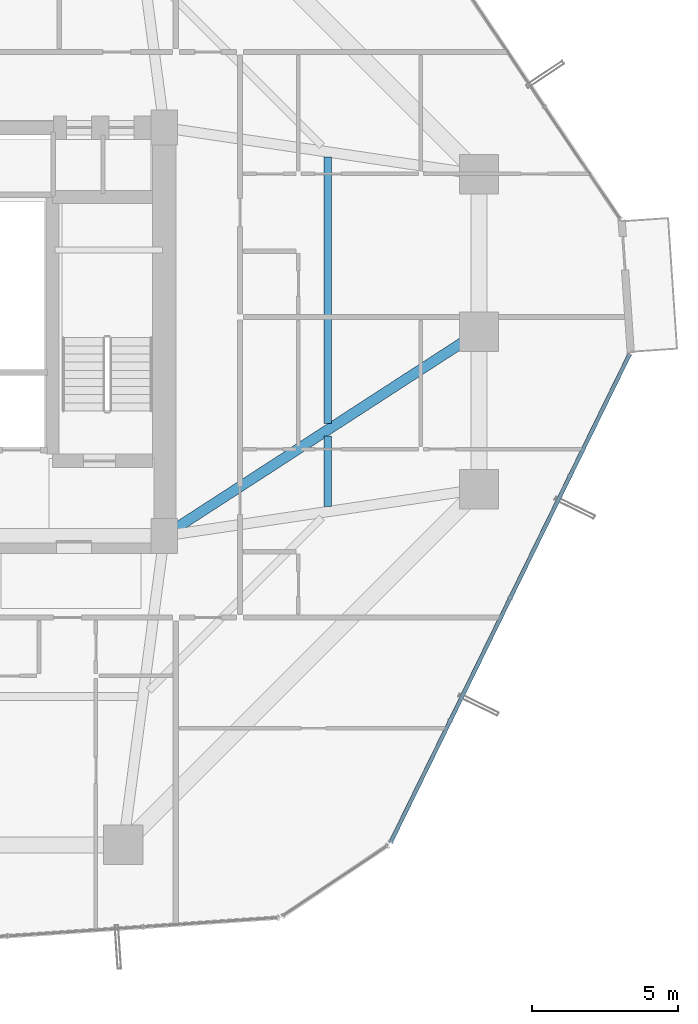
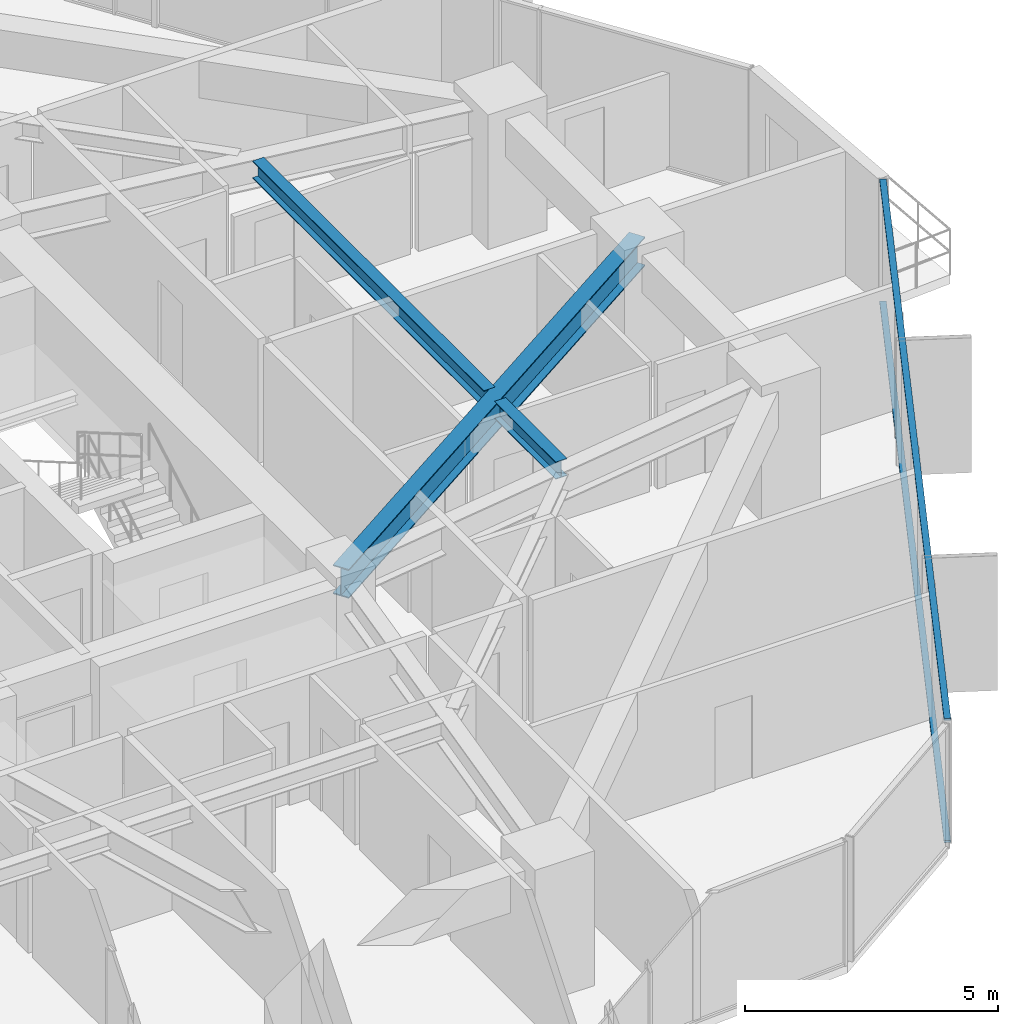
# One storey, part 17 of 37: 3 beams, 2 members, 1 element without a shape of its own.
"""IFC4 building model written with IfcOpenShell, lengths in metres."""

from ifc_helpers import new_model, si_unit, direction, frame, origin, origin_2d, place, context, subcontext, project, spatial, hollow_rectangle, i_section, extrude, source, transform, mapped, material, layer, layer_set, material_profile, profile_set, type_object, element, aggregate, save


model = new_model("IFC4")

# Units and contexts
model_context = context("Model", 3, precision=1e-05, world=origin(), true_north=direction((0.0, 1.0)))
body_context = subcontext(model_context, "Body", "Model", "MODEL_VIEW")
ifc_project = project(units=[si_unit("LENGTHUNIT", "METRE"), si_unit("AREAUNIT", "SQUARE_METRE"), si_unit("VOLUMEUNIT", "CUBIC_METRE"), si_unit("PLANEANGLEUNIT", "RADIAN"), si_unit("MASSUNIT", "GRAM", prefix="KILO")], contexts=[model_context])

# Site, building, storey
site_placement = place(None, origin())
site = spatial("IfcSite", under=ifc_project, at=site_placement, CompositionType="ELEMENT")
building_placement = place(site_placement, origin())
building = spatial("IfcBuilding", under=site, at=building_placement, Name="Veraguas Prism Commons", CompositionType="ELEMENT")
storey_placement = place(building_placement, frame((0.0, 0.0, 37.050048828125)))
storey = spatial("IfcBuildingStorey", under=building, at=storey_placement, Name="L09", CompositionType="ELEMENT", Elevation=37.050048828125)

# Beams
ifc_material_1 = material(Name="Steel ASTM A992 Grade 50", Category="steel")
ifc_material_profile_1 = material_profile(ifc_material_1, i_section(OverallWidth=0.260986328125, OverallDepth=0.419921875, WebThickness=0.01171875, FlangeThickness=0.019287109375, at=origin_2d()), Name="W410X114")
ifc_profile_set_1 = profile_set([ifc_material_profile_1], Name="Steel ASTM A992 Grade 50")
beam_type_1 = type_object("IfcBeamType", Name="Lower Floor Joist W410x114", PredefinedType="JOIST", material=ifc_profile_set_1)
beam_1_placement = place(storey_placement, frame((36.416015625, 18.010009765625, 2.7900390625), z_axis=(0.0, 1.0, 0.0), x_axis=(-1.0, 0.0, 0.0)))
element("IfcBeam", 1, at=beam_1_placement, inside=storey, type_object=beam_type_1, Name="Composite Floor Joist L09-JS01", PredefinedType="JOIST", context=body_context, shape_type="SweptSolid", body=[
    extrude(i_section(OverallWidth=0.260986328125, OverallDepth=0.419921875, WebThickness=0.01171875, FlangeThickness=0.019287109375, at=origin_2d()), origin(), (0.0, 0.0, 1.0), 2.42041015625),
])
beam_2_placement = place(storey_placement, frame((36.416015625, 20.849609375, 2.7900390625), z_axis=(0.0, 1.0, 0.0), x_axis=(-1.0, 0.0, 0.0)))
element("IfcBeam", 2, at=beam_2_placement, inside=storey, type_object=beam_type_1, Name="Composite Floor Joist L09-JS02", PredefinedType="JOIST", context=body_context, shape_type="SweptSolid", body=[
    extrude(i_section(OverallWidth=0.260986328125, OverallDepth=0.419921875, WebThickness=0.01171875, FlangeThickness=0.019287109375, at=origin_2d()), origin(), (0.0, 0.0, 1.0), 9.140380859375),
])
ifc_material_profile_2 = material_profile(ifc_material_1, i_section(OverallWidth=0.35595703125, OverallDepth=0.700927734375, WebThickness=0.016845703125, FlangeThickness=0.02734375, at=origin_2d()), Name="W690X240")
ifc_profile_set_2 = profile_set([ifc_material_profile_2], Name="Steel ASTM A992 Grade 50")
beam_type_2 = type_object("IfcBeamType", Name="Zone 1 Radial Girder W690x240", PredefinedType="BEAM", material=ifc_profile_set_2)
beam_3_placement = place(storey_placement, frame((41.60009765625, 24.0, 2.6494140625), z_axis=(-0.839154108875, -0.543893722668, 0.0), x_axis=(0.543893722668, -0.839154108875, 0.0)))
element("IfcBeam", 3, at=beam_3_placement, inside=storey, type_object=beam_type_2, Name="Radial Floor Girder L09-RD02", PredefinedType="BEAM", context=body_context, shape_type="SweptSolid", body=[
    extrude(i_section(OverallWidth=0.35595703125, OverallDepth=0.700927734375, WebThickness=0.016845703125, FlangeThickness=0.02734375, at=origin_2d()), origin(), (0.0, 0.0, 1.0), 12.8701171875),
])

# Curtain wall, members
ifc_material_2 = material(Name="Anodised aluminium EN AW-6063 T6", Category="aluminium")
ifc_layer = layer(ifc_material_2, 0.169921875, Name="Unitised Flush Curtain Wall Zone 1", Category="aluminium")
ifc_layer_set = layer_set([ifc_layer], Name="Anodised aluminium EN AW-6063 T6")
curtain_wall_type = type_object("IfcCurtainWallType", Name="Unitised Flush Curtain Wall Zone 1", PredefinedType="NOTDEFINED", material=ifc_layer_set)
curtain_wall_placement = place(storey_placement, origin())
curtain_wall = element("IfcCurtainWall", 4, at=curtain_wall_placement, inside=storey, type_object=curtain_wall_type, Name="Tower Facade Curtain Wall L09-F6", PredefinedType="NOTDEFINED")
ifc_material_profile_3 = material_profile(ifc_material_2, hollow_rectangle(XDim=0.054931640625, YDim=0.135009765625, WallThickness=0.0029296875, at=origin_2d()), Name="AL55X135X3")
ifc_profile_set_3 = profile_set([ifc_material_profile_3], Name="Anodised aluminium EN AW-6063 T6")
member_type = type_object("IfcMemberType", Name="Curtain Wall Transom Standard AL 55x135x3", PredefinedType="USERDEFINED", material=ifc_profile_set_3)
shared_shape = source(origin(), body_context, "Body", "SweptSolid", [
    extrude(hollow_rectangle(XDim=0.054931640625, YDim=0.135009765625, WallThickness=0.0029296875, at=origin_2d()), origin(), (0.0, 0.0, 1.0), 18.623779296875),
])
member_1_placement = place(storey_placement, frame((38.57470703125, 6.498779296875, 0.02734375), z_axis=(0.439625771561, 0.898181040203, 0.0), x_axis=(0.0, 0.0, 1.0)))
member_1 = element("IfcMember", 5, at=member_1_placement, type_object=member_type, Name="CW-Z1 Transom 1", ObjectType="TRANSOM", PredefinedType="USERDEFINED", context=body_context, shape_type="MappedRepresentation", body=[
    mapped(shared_shape, transform((0.0, 0.0, 0.0), scale=1.0)),
])
member_2_placement = place(storey_placement, frame((38.57470703125, 6.498779296875, 2.972412109375), z_axis=(0.439625771561, 0.898181040203, 0.0), x_axis=(0.0, 0.0, 1.0)))
member_2 = element("IfcMember", 6, at=member_2_placement, type_object=member_type, Name="CW-Z1 Transom 2", ObjectType="TRANSOM", PredefinedType="USERDEFINED", context=body_context, shape_type="MappedRepresentation", body=[
    mapped(shared_shape, transform((0.0, 0.0, 0.0), scale=1.0)),
])
aggregate(curtain_wall, [member_1, member_2])

save(model, "model.ifc")
